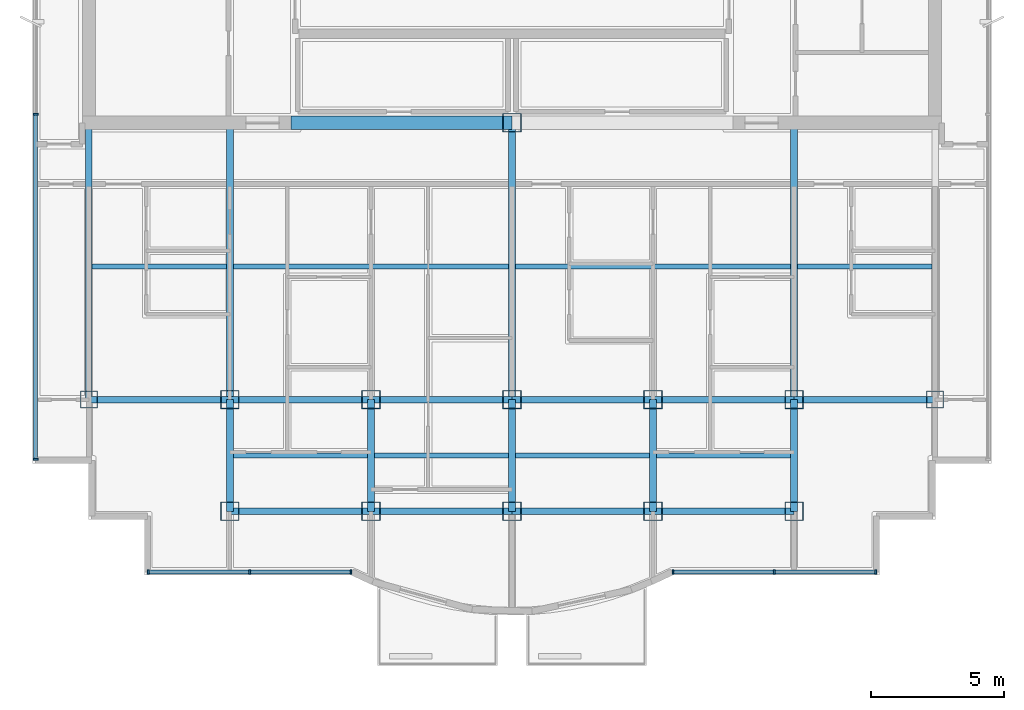
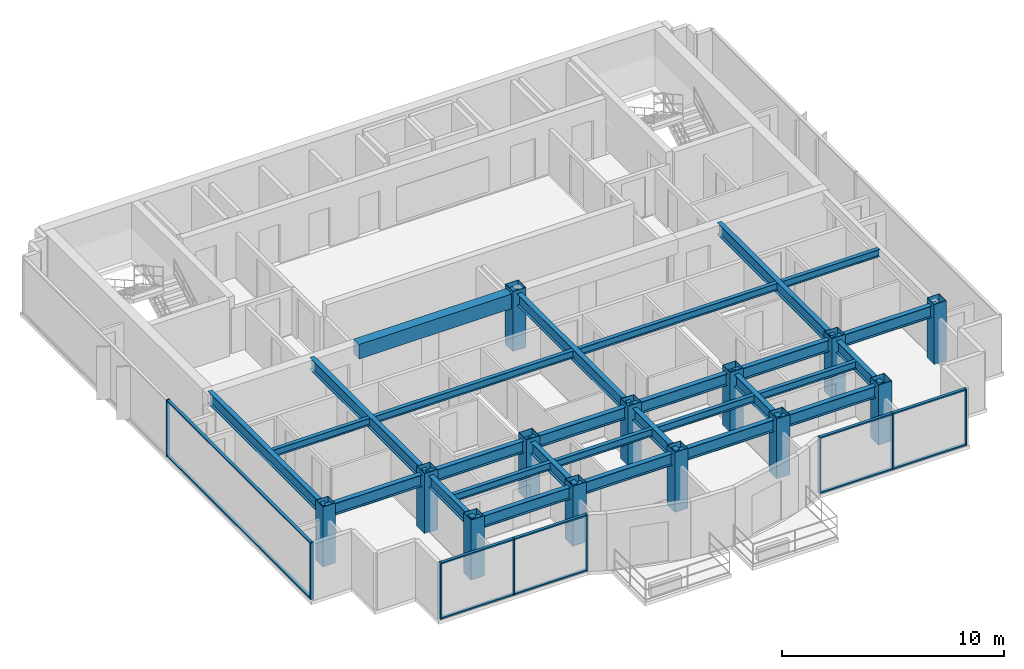
# One storey, part 1 of 11: 28 beams, 18 members, 13 columns, 3 elements without a shape of their own.
"""IFC4 building model written with IfcOpenShell, lengths in metres."""

from ifc_helpers import new_model, si_unit, direction, frame, origin, origin_2d, place, context, subcontext, project, spatial, rectangle, hollow_rectangle, i_section, extrude, source, transform, mapped, material, layer, layer_set, material_profile, profile_set, type_object, element, aggregate, save


model = new_model("IFC4")

# Units and contexts
model_context = context("Model", 3, precision=1e-05, world=origin(), true_north=direction((0.0, 1.0)))
body_context = subcontext(model_context, "Body", "Model", "MODEL_VIEW")
ifc_project = project(units=[si_unit("LENGTHUNIT", "METRE"), si_unit("AREAUNIT", "SQUARE_METRE"), si_unit("VOLUMEUNIT", "CUBIC_METRE"), si_unit("PLANEANGLEUNIT", "RADIAN"), si_unit("MASSUNIT", "GRAM", prefix="KILO")], contexts=[model_context])

# Site, building, storey
site_placement = place(None, origin())
site = spatial("IfcSite", under=ifc_project, at=site_placement, CompositionType="ELEMENT")
building_placement = place(site_placement, origin())
building = spatial("IfcBuilding", under=site, at=building_placement, Name="Qianlan Lanfeng Residences", CompositionType="ELEMENT")
storey_placement = place(building_placement, frame((0.0, 0.0, 256.10009765625)))
storey = spatial("IfcBuildingStorey", under=building, at=storey_placement, Name="L71", CompositionType="ELEMENT", Elevation=256.10009765625)

# Columns
ifc_material_1 = material(Name="Steel SN490B", Category="steel")
ifc_material_profile_1 = material_profile(ifc_material_1, hollow_rectangle(XDim=0.699951171875, YDim=0.699951171875, WallThickness=0.02490234375, at=origin_2d()), Name="BOX 700x700x25")
ifc_profile_set_1 = profile_set([ifc_material_profile_1], Name="Steel SN490B")
column_type_1 = type_object("IfcColumnType", Name="C-B750", PredefinedType="COLUMN", material=ifc_profile_set_1)
for number, where, z_axis, x_axis, name in (
    (1, (26.5, 25.199951171875, 0.0), (0.0, 0.0, 1.0), (1.0, 0.0, 0.0), "L71 Structural Column CP_26.5_25.2"),
    (2, (15.89990234375, 14.800048828125, 0.0), (0.0, 0.0, 1.0), (1.0, 0.0, 0.0), "L71 Structural Column M_15.90_14.80"),
    (3, (15.89990234375, 10.60009765625, 0.0), (0.0, 0.0, 1.0), (1.0, 0.0, 0.0), "L71 Structural Column G_15.90_10.60"),
    (4, (21.199951171875, 14.800048828125, 0.0), (0.0, 0.0, 1.0), (1.0, 0.0, 0.0), "L71 Structural Column M_21.20_14.80"),
    (5, (21.199951171875, 10.60009765625, 0.0), (0.0, 0.0, 1.0), (1.0, 0.0, 0.0), "L71 Structural Column G_21.20_10.60"),
    (6, (26.5, 14.800048828125, 0.0), (0.0, 0.0, 1.0), (1.0, 0.0, 0.0), "L71 Structural Column M_26.50_14.80"),
    (7, (26.5, 10.60009765625, 0.0), (0.0, 0.0, 1.0), (1.0, 0.0, 0.0), "L71 Structural Column G_26.50_10.60"),
    (8, (31.800048828125, 14.800048828125, 0.0), (0.0, 0.0, 1.0), (1.0, 0.0, 0.0), "L71 Structural Column M_31.80_14.80"),
    (9, (31.800048828125, 10.60009765625, 0.0), (0.0, 0.0, 1.0), (1.0, 0.0, 0.0), "L71 Structural Column G_31.80_10.60"),
    (10, (37.10009765625, 14.800048828125, 0.0), (0.0, 0.0, 1.0), (1.0, 0.0, 0.0), "L71 Structural Column M_37.10_14.80"),
    (11, (37.10009765625, 10.60009765625, 0.0), (0.0, 0.0, 1.0), (1.0, 0.0, 0.0), "L71 Structural Column G_37.10_10.60"),
):
    element("IfcColumn", number, at=place(storey_placement, frame(where, z_axis=z_axis, x_axis=x_axis)), inside=storey, type_object=column_type_1, Name=name, PredefinedType="COLUMN", context=body_context, shape_type="SweptSolid", body=[
        extrude(hollow_rectangle(XDim=0.699951171875, YDim=0.699951171875, WallThickness=0.02490234375, at=origin_2d()), origin(), (0.0, 0.0, 1.0), 3.2998046875),
    ])
ifc_material_profile_2 = material_profile(ifc_material_1, hollow_rectangle(XDim=0.64990234375, YDim=0.64990234375, WallThickness=0.02197265625, at=origin_2d()), Name="BOX 650x650x22")
ifc_profile_set_2 = profile_set([ifc_material_profile_2], Name="Steel SN490B")
column_type_2 = type_object("IfcColumnType", Name="CE-B700", PredefinedType="COLUMN", material=ifc_profile_set_2)
for number, where, z_axis, x_axis, name in (
    (12, (10.60009765625, 14.800048828125, 0.0), (0.0, 0.0, 1.0), (1.0, 0.0, 0.0), "L71 Structural Column M_10.60_14.80"),
    (13, (42.39990234375, 14.800048828125, 0.0), (0.0, 0.0, 1.0), (1.0, 0.0, 0.0), "L71 Structural Column M_42.40_14.80"),
):
    element("IfcColumn", number, at=place(storey_placement, frame(where, z_axis=z_axis, x_axis=x_axis)), inside=storey, type_object=column_type_2, Name=name, PredefinedType="COLUMN", context=body_context, shape_type="SweptSolid", body=[
        extrude(hollow_rectangle(XDim=0.64990234375, YDim=0.64990234375, WallThickness=0.02197265625, at=origin_2d()), origin(), (0.0, 0.0, 1.0), 3.2998046875),
    ])

# Beams
ifc_material_profile_3 = material_profile(ifc_material_1, i_section(OverallWidth=0.25, OverallDepth=0.64990234375, WebThickness=0.012939453125, FlangeThickness=0.02197265625, at=origin_2d()), Name="H 650x250x13x22")
ifc_profile_set_3 = profile_set([ifc_material_profile_3], Name="Steel SN490B")
beam_type_1 = type_object("IfcBeamType", Name="G-650", PredefinedType="BEAM", material=ifc_profile_set_3)
for number, where, z_axis, x_axis, name in (
    (14, (15.89990234375, 10.60009765625, 2.784912109375), (1.0, 0.0, 0.0), (0.0, 1.0, 0.0), "Structural beam G-650"),
    (15, (21.199951171875, 10.60009765625, 2.784912109375), (1.0, 0.0, 0.0), (0.0, 1.0, 0.0), "Structural beam G-650"),
    (16, (26.5, 10.60009765625, 2.784912109375), (1.0, 0.0, 0.0), (0.0, 1.0, 0.0), "Structural beam G-650"),
    (17, (31.800048828125, 10.60009765625, 2.784912109375), (1.0, 0.0, 0.0), (0.0, 1.0, 0.0), "Structural beam G-650"),
):
    element("IfcBeam", number, at=place(storey_placement, frame(where, z_axis=z_axis, x_axis=x_axis)), inside=storey, type_object=beam_type_1, Name=name, PredefinedType="BEAM", context=body_context, shape_type="SweptSolid", body=[
        extrude(i_section(OverallWidth=0.25, OverallDepth=0.64990234375, WebThickness=0.012939453125, FlangeThickness=0.02197265625, at=origin_2d()), origin(), (0.0, 0.0, 1.0), 5.300048828125),
    ])
beam_1_placement = place(storey_placement, frame((10.60009765625, 14.800048828125, 2.784912109375), z_axis=(1.0, 0.0, 0.0), x_axis=(0.0, 1.0, 0.0)))
element("IfcBeam", 18, at=beam_1_placement, inside=storey, type_object=beam_type_1, Name="Structural beam G-650", PredefinedType="BEAM", context=body_context, shape_type="SweptSolid", body=[
    extrude(i_section(OverallWidth=0.25, OverallDepth=0.64990234375, WebThickness=0.012939453125, FlangeThickness=0.02197265625, at=origin_2d()), origin(), (0.0, 0.0, 1.0), 5.2998046875),
])
for number, where, z_axis, x_axis, name in (
    (19, (15.89990234375, 14.800048828125, 2.784912109375), (1.0, 0.0, 0.0), (0.0, 1.0, 0.0), "Structural beam G-650"),
    (20, (21.199951171875, 14.800048828125, 2.784912109375), (1.0, 0.0, 0.0), (0.0, 1.0, 0.0), "Structural beam G-650"),
    (21, (26.5, 14.800048828125, 2.784912109375), (1.0, 0.0, 0.0), (0.0, 1.0, 0.0), "Structural beam G-650"),
    (22, (31.800048828125, 14.800048828125, 2.784912109375), (1.0, 0.0, 0.0), (0.0, 1.0, 0.0), "Structural beam G-650"),
):
    element("IfcBeam", number, at=place(storey_placement, frame(where, z_axis=z_axis, x_axis=x_axis)), inside=storey, type_object=beam_type_1, Name=name, PredefinedType="BEAM", context=body_context, shape_type="SweptSolid", body=[
        extrude(i_section(OverallWidth=0.25, OverallDepth=0.64990234375, WebThickness=0.012939453125, FlangeThickness=0.02197265625, at=origin_2d()), origin(), (0.0, 0.0, 1.0), 5.300048828125),
    ])
beam_2_placement = place(storey_placement, frame((37.10009765625, 14.800048828125, 2.784912109375), z_axis=(1.0, 0.0, 0.0), x_axis=(0.0, 1.0, 0.0)))
element("IfcBeam", 23, at=beam_2_placement, inside=storey, type_object=beam_type_1, Name="Structural beam G-650", PredefinedType="BEAM", context=body_context, shape_type="SweptSolid", body=[
    extrude(i_section(OverallWidth=0.25, OverallDepth=0.64990234375, WebThickness=0.012939453125, FlangeThickness=0.02197265625, at=origin_2d()), origin(), (0.0, 0.0, 1.0), 5.2998046875),
])
beam_3_placement = place(storey_placement, frame((10.60009765625, 14.800048828125, 2.784912109375), z_axis=(0.0, 1.0, 0.0), x_axis=(-1.0, 0.0, 0.0)))
element("IfcBeam", 24, at=beam_3_placement, inside=storey, type_object=beam_type_1, Name="Structural beam G-650", PredefinedType="BEAM", context=body_context, shape_type="SweptSolid", body=[
    extrude(i_section(OverallWidth=0.25, OverallDepth=0.64990234375, WebThickness=0.012939453125, FlangeThickness=0.02197265625, at=origin_2d()), origin(), (0.0, 0.0, 1.0), 10.39990234375),
])
beam_4_placement = place(storey_placement, frame((15.89990234375, 10.60009765625, 2.784912109375), z_axis=(0.0, 1.0, 0.0), x_axis=(-1.0, 0.0, 0.0)))
element("IfcBeam", 25, at=beam_4_placement, inside=storey, type_object=beam_type_1, Name="Structural beam G-650", PredefinedType="BEAM", context=body_context, shape_type="SweptSolid", body=[
    extrude(i_section(OverallWidth=0.25, OverallDepth=0.64990234375, WebThickness=0.012939453125, FlangeThickness=0.02197265625, at=origin_2d()), origin(), (0.0, 0.0, 1.0), 4.199951171875),
])
beam_5_placement = place(storey_placement, frame((15.89990234375, 14.800048828125, 2.784912109375), z_axis=(0.0, 1.0, 0.0), x_axis=(-1.0, 0.0, 0.0)))
element("IfcBeam", 26, at=beam_5_placement, inside=storey, type_object=beam_type_1, Name="Structural beam G-650", PredefinedType="BEAM", context=body_context, shape_type="SweptSolid", body=[
    extrude(i_section(OverallWidth=0.25, OverallDepth=0.64990234375, WebThickness=0.012939453125, FlangeThickness=0.02197265625, at=origin_2d()), origin(), (0.0, 0.0, 1.0), 10.39990234375),
])
for number, where, z_axis, x_axis, name in (
    (27, (21.199951171875, 10.60009765625, 2.784912109375), (0.0, 1.0, 0.0), (-1.0, 0.0, 0.0), "Structural beam G-650"),
    (28, (26.5, 10.60009765625, 2.784912109375), (0.0, 1.0, 0.0), (-1.0, 0.0, 0.0), "Structural beam G-650"),
):
    element("IfcBeam", number, at=place(storey_placement, frame(where, z_axis=z_axis, x_axis=x_axis)), inside=storey, type_object=beam_type_1, Name=name, PredefinedType="BEAM", context=body_context, shape_type="SweptSolid", body=[
        extrude(i_section(OverallWidth=0.25, OverallDepth=0.64990234375, WebThickness=0.012939453125, FlangeThickness=0.02197265625, at=origin_2d()), origin(), (0.0, 0.0, 1.0), 4.199951171875),
    ])
beam_6_placement = place(storey_placement, frame((26.5, 14.800048828125, 2.784912109375), z_axis=(0.0, 1.0, 0.0), x_axis=(-1.0, 0.0, 0.0)))
element("IfcBeam", 29, at=beam_6_placement, inside=storey, type_object=beam_type_1, Name="Structural beam G-650", PredefinedType="BEAM", context=body_context, shape_type="SweptSolid", body=[
    extrude(i_section(OverallWidth=0.25, OverallDepth=0.64990234375, WebThickness=0.012939453125, FlangeThickness=0.02197265625, at=origin_2d()), origin(), (0.0, 0.0, 1.0), 10.39990234375),
])
for number, where, z_axis, x_axis, name in (
    (30, (31.800048828125, 10.60009765625, 2.784912109375), (0.0, 1.0, 0.0), (-1.0, 0.0, 0.0), "Structural beam G-650"),
    (31, (37.10009765625, 10.60009765625, 2.784912109375), (0.0, 1.0, 0.0), (-1.0, 0.0, 0.0), "Structural beam G-650"),
):
    element("IfcBeam", number, at=place(storey_placement, frame(where, z_axis=z_axis, x_axis=x_axis)), inside=storey, type_object=beam_type_1, Name=name, PredefinedType="BEAM", context=body_context, shape_type="SweptSolid", body=[
        extrude(i_section(OverallWidth=0.25, OverallDepth=0.64990234375, WebThickness=0.012939453125, FlangeThickness=0.02197265625, at=origin_2d()), origin(), (0.0, 0.0, 1.0), 4.199951171875),
    ])
beam_7_placement = place(storey_placement, frame((37.10009765625, 14.800048828125, 2.784912109375), z_axis=(0.0, 1.0, 0.0), x_axis=(-1.0, 0.0, 0.0)))
element("IfcBeam", 32, at=beam_7_placement, inside=storey, type_object=beam_type_1, Name="Structural beam G-650", PredefinedType="BEAM", context=body_context, shape_type="SweptSolid", body=[
    extrude(i_section(OverallWidth=0.25, OverallDepth=0.64990234375, WebThickness=0.012939453125, FlangeThickness=0.02197265625, at=origin_2d()), origin(), (0.0, 0.0, 1.0), 10.39990234375),
])
ifc_material_profile_4 = material_profile(ifc_material_1, i_section(OverallWidth=0.199951171875, OverallDepth=0.39990234375, WebThickness=0.008056640625, FlangeThickness=0.012939453125, at=origin_2d()), Name="H 400x200x8x13")
ifc_profile_set_4 = profile_set([ifc_material_profile_4], Name="Steel SN490B")
beam_type_2 = type_object("IfcBeamType", Name="J-400", PredefinedType="JOIST", material=ifc_profile_set_4)
for number, where, z_axis, x_axis, name in (
    (33, (16.02490234375, 12.699951171875, 2.909912109375), (1.0, 0.0, 0.0), (0.0, 1.0, 0.0), "Structural beam J-400"),
    (34, (21.324951171875, 12.699951171875, 2.909912109375), (1.0, 0.0, 0.0), (0.0, 1.0, 0.0), "Structural beam J-400"),
    (35, (26.625, 12.699951171875, 2.909912109375), (1.0, 0.0, 0.0), (0.0, 1.0, 0.0), "Structural beam J-400"),
    (36, (31.925048828125, 12.699951171875, 2.909912109375), (1.0, 0.0, 0.0), (0.0, 1.0, 0.0), "Structural beam J-400"),
):
    element("IfcBeam", number, at=place(storey_placement, frame(where, z_axis=z_axis, x_axis=x_axis)), inside=storey, type_object=beam_type_2, Name=name, PredefinedType="JOIST", context=body_context, shape_type="SweptSolid", body=[
        extrude(i_section(OverallWidth=0.199951171875, OverallDepth=0.39990234375, WebThickness=0.008056640625, FlangeThickness=0.012939453125, at=origin_2d()), origin(), (0.0, 0.0, 1.0), 5.050048828125),
    ])
beam_8_placement = place(storey_placement, frame((10.72509765625, 19.800048828125, 2.909912109375), z_axis=(1.0, 0.0, 0.0), x_axis=(0.0, 1.0, 0.0)))
element("IfcBeam", 37, at=beam_8_placement, inside=storey, type_object=beam_type_2, Name="Structural beam J-400", PredefinedType="JOIST", context=body_context, shape_type="SweptSolid", body=[
    extrude(i_section(OverallWidth=0.199951171875, OverallDepth=0.39990234375, WebThickness=0.008056640625, FlangeThickness=0.012939453125, at=origin_2d()), origin(), (0.0, 0.0, 1.0), 5.0498046875),
])
for number, where, z_axis, x_axis, name in (
    (38, (16.02490234375, 19.800048828125, 2.909912109375), (1.0, 0.0, 0.0), (0.0, 1.0, 0.0), "Structural beam J-400"),
    (39, (26.625, 19.800048828125, 2.909912109375), (1.0, 0.0, 0.0), (0.0, 1.0, 0.0), "Structural beam J-400"),
):
    element("IfcBeam", number, at=place(storey_placement, frame(where, z_axis=z_axis, x_axis=x_axis)), inside=storey, type_object=beam_type_2, Name=name, PredefinedType="JOIST", context=body_context, shape_type="SweptSolid", body=[
        extrude(i_section(OverallWidth=0.199951171875, OverallDepth=0.39990234375, WebThickness=0.008056640625, FlangeThickness=0.012939453125, at=origin_2d()), origin(), (0.0, 0.0, 1.0), 10.35009765625),
    ])
beam_9_placement = place(storey_placement, frame((37.22509765625, 19.800048828125, 2.909912109375), z_axis=(1.0, 0.0, 0.0), x_axis=(0.0, 1.0, 0.0)))
element("IfcBeam", 40, at=beam_9_placement, inside=storey, type_object=beam_type_2, Name="Structural beam J-400", PredefinedType="JOIST", context=body_context, shape_type="SweptSolid", body=[
    extrude(i_section(OverallWidth=0.199951171875, OverallDepth=0.39990234375, WebThickness=0.008056640625, FlangeThickness=0.012939453125, at=origin_2d()), origin(), (0.0, 0.0, 1.0), 5.0498046875),
])
ifc_material_2 = material(Name="Concrete C49", Category="concrete")
ifc_material_profile_5 = material_profile(ifc_material_2, rectangle(XDim=0.5, YDim=0.800048828125, at=origin_2d()), Name="RC 500x800")
ifc_profile_set_5 = profile_set([ifc_material_profile_5], Name="Concrete C49")
beam_type_3 = type_object("IfcBeamType", Name="LB-RC750", PredefinedType="BEAM", material=ifc_profile_set_5)
beam_10_placement = place(storey_placement, frame((18.199951171875, 25.199951171875, 2.7099609375), z_axis=(1.0, 0.0, 0.0), x_axis=(0.0, 1.0, 0.0)))
element("IfcBeam", 41, at=beam_10_placement, inside=storey, type_object=beam_type_3, Name="L71 Core Coupling Beam W", PredefinedType="BEAM", context=body_context, shape_type="SweptSolid", body=[
    extrude(rectangle(XDim=0.5, YDim=0.800048828125, at=origin_2d()), origin(), (0.0, 0.0, 1.0), 8.300048828125),
])

# Curtain wall, members
ifc_material_3 = material(Name="Anodised Bronze Aluminium 6063-T6", Category="aluminium")
ifc_layer = layer(ifc_material_3, 0.219970703125)
ifc_layer_set = layer_set([ifc_layer], Name="Anodised Bronze Aluminium 6063-T6")
curtain_wall_type = type_object("IfcCurtainWallType", Name="CW-06", PredefinedType="NOTDEFINED", material=ifc_layer_set)
curtain_wall_1_placement = place(storey_placement, origin())
curtain_wall_1 = element("IfcCurtainWall", 42, at=curtain_wall_1_placement, inside=storey, type_object=curtain_wall_type, Name="L71 Unitised Curtain Wall CWR-L71-01 (CW-06)", PredefinedType="NOTDEFINED")
ifc_material_profile_6 = material_profile(ifc_material_3, rectangle(XDim=0.074951171875, YDim=0.179931640625, at=origin_2d()), Name="ALU MULLION 75x180")
ifc_profile_set_6 = profile_set([ifc_material_profile_6], Name="Anodised Bronze Aluminium 6063-T6")
member_type_1 = type_object("IfcMemberType", Name="CWM-180", PredefinedType="MULLION", material=ifc_profile_set_6)
shared_shape_1 = source(origin(), body_context, "Body", "SweptSolid", [
    extrude(rectangle(XDim=0.074951171875, YDim=0.179931640625, at=origin_2d()), origin(), (0.0, 0.0, 1.0), 3.10986328125),
])
member_1_placement = place(storey_placement, frame((12.83740234375, 8.320068359375, 0.0), z_axis=(0.0, 0.0, 1.0), x_axis=(1.0, 0.0, 0.0)))
member_1 = element("IfcMember", 43, at=member_1_placement, type_object=member_type_1, Name="CWR-L71-01 Mullion 1", PredefinedType="MULLION", context=body_context, shape_type="MappedRepresentation", body=[
    mapped(shared_shape_1, transform((0.0, 0.0, 0.0), scale=1.0)),
])
member_2_placement = place(storey_placement, frame((16.6435546875, 8.320068359375, 0.0), z_axis=(0.0, 0.0, 1.0), x_axis=(1.0, 0.0, 0.0)))
member_2 = element("IfcMember", 44, at=member_2_placement, type_object=member_type_1, Name="CWR-L71-01 Mullion 2", PredefinedType="MULLION", context=body_context, shape_type="MappedRepresentation", body=[
    mapped(shared_shape_1, transform((0.0, 0.0, 0.0), scale=1.0)),
])
member_3_placement = place(storey_placement, frame((20.449462890625, 8.320068359375, 0.0), z_axis=(0.0, 0.0, 1.0), x_axis=(1.0, 0.0, 0.0)))
member_3 = element("IfcMember", 45, at=member_3_placement, type_object=member_type_1, Name="CWR-L71-01 Mullion 3", PredefinedType="MULLION", context=body_context, shape_type="MappedRepresentation", body=[
    mapped(shared_shape_1, transform((0.0, 0.0, 0.0), scale=1.0)),
])

curtain_wall_2_placement = place(storey_placement, origin())
curtain_wall_2 = element("IfcCurtainWall", 46, at=curtain_wall_2_placement, inside=storey, type_object=curtain_wall_type, Name="L71 Unitised Curtain Wall CWR-L71-02 (CW-06)", PredefinedType="NOTDEFINED")
member_4_placement = place(storey_placement, frame((32.550537109375, 8.320068359375, 0.0), z_axis=(0.0, 0.0, 1.0), x_axis=(1.0, 0.0, 0.0)))
member_4 = element("IfcMember", 47, at=member_4_placement, type_object=member_type_1, Name="CWR-L71-02 Mullion 1", PredefinedType="MULLION", context=body_context, shape_type="MappedRepresentation", body=[
    mapped(shared_shape_1, transform((0.0, 0.0, 0.0), scale=1.0)),
])
member_5_placement = place(storey_placement, frame((36.3564453125, 8.320068359375, 0.0), z_axis=(0.0, 0.0, 1.0), x_axis=(1.0, 0.0, 0.0)))
member_5 = element("IfcMember", 48, at=member_5_placement, type_object=member_type_1, Name="CWR-L71-02 Mullion 2", PredefinedType="MULLION", context=body_context, shape_type="MappedRepresentation", body=[
    mapped(shared_shape_1, transform((0.0, 0.0, 0.0), scale=1.0)),
])
member_6_placement = place(storey_placement, frame((40.16259765625, 8.320068359375, 0.0), z_axis=(0.0, 0.0, 1.0), x_axis=(1.0, 0.0, 0.0)))
member_6 = element("IfcMember", 49, at=member_6_placement, type_object=member_type_1, Name="CWR-L71-02 Mullion 3", PredefinedType="MULLION", context=body_context, shape_type="MappedRepresentation", body=[
    mapped(shared_shape_1, transform((0.0, 0.0, 0.0), scale=1.0)),
])

curtain_wall_3_placement = place(storey_placement, origin())
curtain_wall_3 = element("IfcCurtainWall", 50, at=curtain_wall_3_placement, inside=storey, type_object=curtain_wall_type, Name="L71 Unitised Curtain Wall CWR-L71-04 (CW-06)", PredefinedType="NOTDEFINED")
member_7_placement = place(storey_placement, frame((8.60009765625, 25.52490234375, 0.0), z_axis=(0.0, 0.0, 1.0), x_axis=(0.0, -1.0, 0.0)))
member_7 = element("IfcMember", 51, at=member_7_placement, type_object=member_type_1, Name="CWR-L71-04 Mullion 2", PredefinedType="MULLION", context=body_context, shape_type="MappedRepresentation", body=[
    mapped(shared_shape_1, transform((0.0, 0.0, 0.0), scale=1.0)),
])
member_8_placement = place(storey_placement, frame((8.60009765625, 12.5576171875, 0.0), z_axis=(0.0, 0.0, 1.0), x_axis=(0.0, -1.0, 0.0)))
member_8 = element("IfcMember", 52, at=member_8_placement, type_object=member_type_1, Name="CWR-L71-04 Mullion 3", PredefinedType="MULLION", context=body_context, shape_type="MappedRepresentation", body=[
    mapped(shared_shape_1, transform((0.0, 0.0, 0.0), scale=1.0)),
])

# Member
ifc_material_profile_7 = material_profile(ifc_material_3, rectangle(XDim=0.074951171875, YDim=0.14990234375, at=origin_2d()), Name="ALU TRANSOM 75x150")
ifc_profile_set_7 = profile_set([ifc_material_profile_7], Name="Anodised Bronze Aluminium 6063-T6")
member_type_2 = type_object("IfcMemberType", Name="CWT-150", PredefinedType="USERDEFINED", material=ifc_profile_set_7)
shared_shape_2 = source(origin(), body_context, "Body", "SweptSolid", [
    extrude(rectangle(XDim=0.074951171875, YDim=0.14990234375, at=origin_2d()), origin(), (0.0, 0.0, 1.0), 3.73095703125),
])
member_9_placement = place(storey_placement, frame((12.875, 8.320068359375, 0.037353515625), z_axis=(1.0, 0.0, 0.0), x_axis=(0.0, 0.0, 1.0)))
member_9 = element("IfcMember", 53, at=member_9_placement, type_object=member_type_2, Name="CWR-L71-01 Transom 1-BOT", ObjectType="TRANSOM", PredefinedType="USERDEFINED", context=body_context, shape_type="MappedRepresentation", body=[
    mapped(shared_shape_2, transform((0.0, 0.0, 0.0), scale=1.0)),
])

member_10_placement = place(storey_placement, frame((12.875, 8.320068359375, 3.072509765625), z_axis=(1.0, 0.0, 0.0), x_axis=(0.0, 0.0, 1.0)))
member_10 = element("IfcMember", 54, at=member_10_placement, type_object=member_type_2, Name="CWR-L71-01 Transom 1-TOP", ObjectType="TRANSOM", PredefinedType="USERDEFINED", context=body_context, shape_type="MappedRepresentation", body=[
    mapped(shared_shape_2, transform((0.0, 0.0, 0.0), scale=1.0)),
])

member_11_placement = place(storey_placement, frame((36.39404296875, 8.320068359375, 0.037353515625), z_axis=(1.0, 0.0, 0.0), x_axis=(0.0, 0.0, 1.0)))
member_11 = element("IfcMember", 55, at=member_11_placement, type_object=member_type_2, Name="CWR-L71-02 Transom 2-BOT", ObjectType="TRANSOM", PredefinedType="USERDEFINED", context=body_context, shape_type="MappedRepresentation", body=[
    mapped(shared_shape_2, transform((0.0, 0.0, 0.0), scale=1.0)),
])

member_12_placement = place(storey_placement, frame((36.39404296875, 8.320068359375, 3.072509765625), z_axis=(1.0, 0.0, 0.0), x_axis=(0.0, 0.0, 1.0)))
member_12 = element("IfcMember", 56, at=member_12_placement, type_object=member_type_2, Name="CWR-L71-02 Transom 2-TOP", ObjectType="TRANSOM", PredefinedType="USERDEFINED", context=body_context, shape_type="MappedRepresentation", body=[
    mapped(shared_shape_2, transform((0.0, 0.0, 0.0), scale=1.0)),
])

shared_shape_3 = source(origin(), body_context, "Body", "SweptSolid", [
    extrude(rectangle(XDim=0.074951171875, YDim=0.14990234375, at=origin_2d()), origin(), (0.0, 0.0, 1.0), 3.731201171875),
])
member_13_placement = place(storey_placement, frame((16.680908203125, 8.320068359375, 0.037353515625), z_axis=(1.0, 0.0, 0.0), x_axis=(0.0, 0.0, 1.0)))
member_13 = element("IfcMember", 57, at=member_13_placement, type_object=member_type_2, Name="CWR-L71-01 Transom 2-BOT", ObjectType="TRANSOM", PredefinedType="USERDEFINED", context=body_context, shape_type="MappedRepresentation", body=[
    mapped(shared_shape_3, transform((0.0, 0.0, 0.0), scale=1.0)),
])

member_14_placement = place(storey_placement, frame((16.680908203125, 8.320068359375, 3.072509765625), z_axis=(1.0, 0.0, 0.0), x_axis=(0.0, 0.0, 1.0)))
member_14 = element("IfcMember", 58, at=member_14_placement, type_object=member_type_2, Name="CWR-L71-01 Transom 2-TOP", ObjectType="TRANSOM", PredefinedType="USERDEFINED", context=body_context, shape_type="MappedRepresentation", body=[
    mapped(shared_shape_3, transform((0.0, 0.0, 0.0), scale=1.0)),
])

aggregate(curtain_wall_1, [member_1, member_2, member_3, member_9, member_10, member_13, member_14])

member_15_placement = place(storey_placement, frame((32.587890625, 8.320068359375, 0.037353515625), z_axis=(1.0, 0.0, 0.0), x_axis=(0.0, 0.0, 1.0)))
member_15 = element("IfcMember", 59, at=member_15_placement, type_object=member_type_2, Name="CWR-L71-02 Transom 1-BOT", ObjectType="TRANSOM", PredefinedType="USERDEFINED", context=body_context, shape_type="MappedRepresentation", body=[
    mapped(shared_shape_3, transform((0.0, 0.0, 0.0), scale=1.0)),
])

member_16_placement = place(storey_placement, frame((32.587890625, 8.320068359375, 3.072509765625), z_axis=(1.0, 0.0, 0.0), x_axis=(0.0, 0.0, 1.0)))
member_16 = element("IfcMember", 60, at=member_16_placement, type_object=member_type_2, Name="CWR-L71-02 Transom 1-TOP", ObjectType="TRANSOM", PredefinedType="USERDEFINED", context=body_context, shape_type="MappedRepresentation", body=[
    mapped(shared_shape_3, transform((0.0, 0.0, 0.0), scale=1.0)),
])

aggregate(curtain_wall_2, [member_4, member_5, member_6, member_15, member_16, member_11, member_12])

shared_shape_4 = source(origin(), body_context, "Body", "SweptSolid", [
    extrude(rectangle(XDim=0.074951171875, YDim=0.14990234375, at=origin_2d()), origin(), (0.0, 0.0, 1.0), 12.892578125),
])
member_17_placement = place(storey_placement, frame((8.60009765625, 25.487548828125, 0.037353515625), z_axis=(0.0, -1.0, 0.0), x_axis=(0.0, 0.0, 1.0)))
member_17 = element("IfcMember", 61, at=member_17_placement, type_object=member_type_2, Name="CWR-L71-04 Transom 2-BOT", ObjectType="TRANSOM", PredefinedType="USERDEFINED", context=body_context, shape_type="MappedRepresentation", body=[
    mapped(shared_shape_4, transform((0.0, 0.0, 0.0), scale=1.0)),
])

member_18_placement = place(storey_placement, frame((8.60009765625, 25.487548828125, 3.072509765625), z_axis=(0.0, -1.0, 0.0), x_axis=(0.0, 0.0, 1.0)))
member_18 = element("IfcMember", 62, at=member_18_placement, type_object=member_type_2, Name="CWR-L71-04 Transom 2-TOP", ObjectType="TRANSOM", PredefinedType="USERDEFINED", context=body_context, shape_type="MappedRepresentation", body=[
    mapped(shared_shape_4, transform((0.0, 0.0, 0.0), scale=1.0)),
])

aggregate(curtain_wall_3, [member_7, member_8, member_17, member_18])

save(model, "model.ifc")
